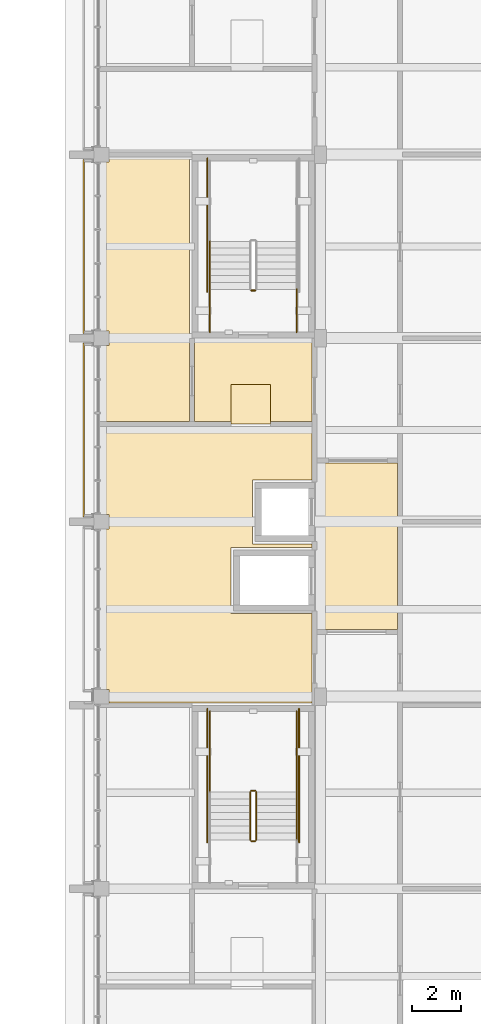
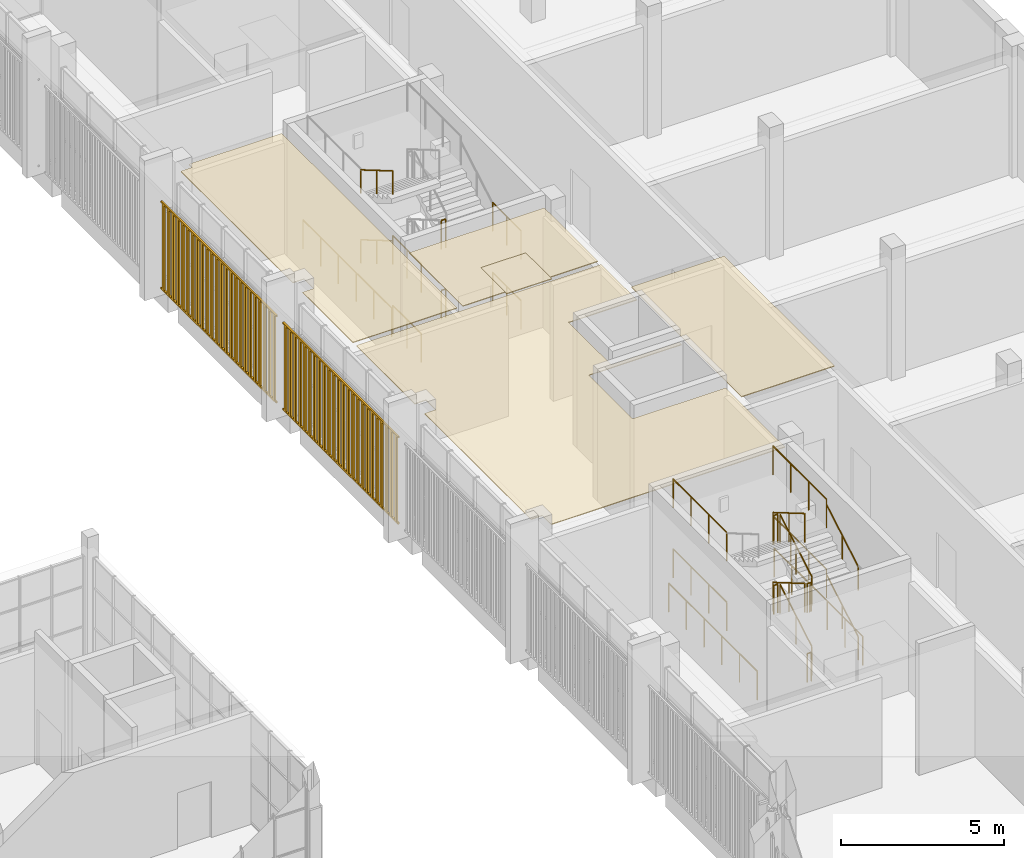
# One storey, part 114 of 125: 25 railings, 5 coverings, 2 shading devices.
"""IFC4 building model written with IfcOpenShell, lengths in metres."""

from ifc_helpers import new_model, si_unit, direction, frame, origin, origin_2d, place, context, subcontext, project, spatial, polyline, rectangle, circle, outline, extrude, material, layer, layer_set, type_object, element, save


model = new_model("IFC4")

# Units and contexts
model_context = context("Model", 3, precision=1e-05, world=origin(), true_north=direction((0.0, 1.0)))
body_context = subcontext(model_context, "Body", "Model", "MODEL_VIEW")
ifc_project = project(units=[si_unit("LENGTHUNIT", "METRE"), si_unit("AREAUNIT", "SQUARE_METRE"), si_unit("VOLUMEUNIT", "CUBIC_METRE"), si_unit("PLANEANGLEUNIT", "RADIAN"), si_unit("MASSUNIT", "GRAM", prefix="KILO")], contexts=[model_context])

# Site, building, storey
site_placement = place(None, origin())
site = spatial("IfcSite", under=ifc_project, at=site_placement, CompositionType="ELEMENT")
building_placement = place(site_placement, origin())
building = spatial("IfcBuilding", under=site, at=building_placement, Name="Sun Court Science Centre", CompositionType="ELEMENT")
storey_placement = place(building_placement, frame((0.0, 0.0, 6.0)))
storey = spatial("IfcBuildingStorey", under=building, at=storey_placement, Name="L01", CompositionType="ELEMENT", Elevation=6.0)

# Coverings
ifc_material_1 = material(Name="Gypsum board")
ifc_layer_1 = layer(ifc_material_1, 0.030029296875)
ifc_layer_set_1 = layer_set([ifc_layer_1], Name="Gypsum board")
covering_type = type_object("IfcCoveringType", Name="Ceiling suspended 600 module", PredefinedType="CEILING", material=ifc_layer_set_1)
covering_1_placement = place(storey_placement, frame((0.0, 0.0, 4.52001953125)))
element("IfcCovering", 1, at=covering_1_placement, inside=storey, type_object=covering_type, Name="L01-039 ceiling", PredefinedType="CEILING", context=body_context, shape_type="SweptSolid", body=[
    extrude(outline(polyline([(87.10009765625, 46.60009765625), (87.10009765625, 50.08740234375), (87.1025390625, 50.08740234375), (87.1025390625, 52.71240234375), (87.10009765625, 52.71240234375), (87.10009765625, 53.39990234375), (90.39990234375, 53.39990234375), (90.39990234375, 46.60009765625), (87.10009765625, 46.60009765625)])), origin(), (0.0, 0.0, 1.0), 0.030029296875),
])
covering_2_placement = place(storey_placement, frame((0.0, 0.0, 4.52001953125)))
element("IfcCovering", 2, at=covering_2_placement, inside=storey, type_object=covering_type, Name="L01-041 ceiling", PredefinedType="CEILING", context=body_context, shape_type="SweptSolid", body=[
    extrude(outline(polyline([(85.199951171875, 56.60009765625), (83.60009765625, 56.60009765625), (83.60009765625, 55.10009765625), (82.10009765625, 55.10009765625), (82.10009765625, 58.39990234375), (86.89990234375, 58.39990234375), (86.89990234375, 55.10009765625), (85.199951171875, 55.10009765625), (85.199951171875, 56.60009765625)])), origin(), (0.0, 0.0, 1.0), 0.030029296875),
])
covering_3_placement = place(storey_placement, frame((0.0, 0.0, 4.52001953125)))
element("IfcCovering", 3, at=covering_3_placement, inside=storey, type_object=covering_type, Name="L01-046 ceiling", PredefinedType="CEILING", context=body_context, shape_type="SweptSolid", body=[
    extrude(outline(polyline([(78.199951171875, 54.89990234375), (86.89990234375, 54.89990234375), (86.89990234375, 52.71240234375), (84.4775390625, 52.71240234375), (84.4775390625, 50.08740234375), (86.89990234375, 50.08740234375), (86.89990234375, 49.949951171875), (83.60009765625, 49.949951171875), (83.60009765625, 47.25), (86.89990234375, 47.25), (86.89990234375, 43.60009765625), (78.60009765625, 43.60009765625), (78.60009765625, 44.14990234375), (78.199951171875, 44.14990234375), (78.199951171875, 50.699951171875), (78.60009765625, 50.699951171875), (78.60009765625, 51.300048828125), (78.199951171875, 51.300048828125), (78.199951171875, 54.89990234375)])), origin(), (0.0, 0.0, 1.0), 0.030029296875),
])
covering_4_placement = place(storey_placement, frame((0.0, 0.0, 4.52001953125)))
element("IfcCovering", 4, at=covering_4_placement, inside=storey, type_object=covering_type, Name="L01-047 ceiling", PredefinedType="CEILING", context=body_context, shape_type="SweptSolid", body=[
    extrude(outline(polyline([(78.60009765625, 65.89990234375), (81.89990234375, 65.89990234375), (81.89990234375, 55.10009765625), (78.199951171875, 55.10009765625), (78.199951171875, 58.199951171875), (78.60009765625, 58.199951171875), (78.60009765625, 58.800048828125), (78.199951171875, 58.800048828125), (78.199951171875, 65.699951171875), (78.60009765625, 65.699951171875), (78.60009765625, 65.89990234375)])), origin(), (0.0, 0.0, 1.0), 0.030029296875),
])
covering_5_placement = place(storey_placement, frame((0.0, 0.0, 4.52001953125)))
element("IfcCovering", 5, at=covering_5_placement, inside=storey, type_object=covering_type, Name="L01-060 ceiling", PredefinedType="CEILING", context=body_context, shape_type="SweptSolid", body=[
    extrude(outline(polyline([(85.199951171875, 56.60009765625), (85.199951171875, 55.0), (83.60009765625, 55.0), (83.60009765625, 56.60009765625), (85.199951171875, 56.60009765625)])), origin(), (0.0, 0.0, 1.0), 0.030029296875),
])

# Railings
ifc_material_2 = material(Name="Steel S275", Category="steel")
railing_type_1 = type_object("IfcRailingType", Name="Guard 1100 steel balustrade", PredefinedType="GUARDRAIL", material=ifc_material_2)
railing_1_placement = place(storey_placement, frame((84.625, 37.998046875, 0.1640625)))
element("IfcRailing", 6, at=railing_1_placement, inside=storey, type_object=railing_type_1, Name="L01 SL2 stair guard 1", PredefinedType="GUARDRAIL", context=body_context, shape_type="SweptSolid", body=[
    extrude(circle(Radius=0.02392578125, at=origin_2d()), frame((0.0, 0.0, 1.076171875), z_axis=(0.0, 0.862794965445, 0.505554000679), x_axis=(-1.0, 0.0, 0.0)), (0.0, 0.0, 1.0), 2.271728515625),
    extrude(circle(Radius=0.02099609375, at=origin_2d()), origin(), (0.0, 0.0, 1.0), 1.052001953125),
    extrude(circle(Radius=0.02099609375, at=origin_2d()), frame((0.0, 0.97998046875, 0.57421875)), (0.0, 0.0, 1.0), 1.052001953125),
    extrude(circle(Radius=0.02099609375, at=origin_2d()), frame((0.0, 1.9599609375, 1.1484375)), (0.0, 0.0, 1.0), 1.052001953125),
])
railing_2_placement = place(storey_placement, frame((84.574951171875, 40.008056640625, 1.3125)))
element("IfcRailing", 7, at=railing_2_placement, inside=storey, type_object=railing_type_1, Name="L01 SL2 stair guard 2", PredefinedType="GUARDRAIL", context=body_context, shape_type="SweptSolid", body=[
    extrude(circle(Radius=0.02392578125, at=origin_2d()), frame((0.0, 0.0, 1.076171875), z_axis=(-1.0, 0.0, 0.0), x_axis=(0.0, -1.0, 0.0)), (0.0, 0.0, 1.0), 0.14990234375),
    extrude(circle(Radius=0.02099609375, at=origin_2d()), origin(), (0.0, 0.0, 1.0), 1.052001953125),
    extrude(circle(Radius=0.02099609375, at=origin_2d()), frame((-0.14990234375, 0.0, 0.0)), (0.0, 0.0, 1.0), 1.052001953125),
])
for number, where, name in (
    (8, (86.27294921875, 39.9580078125, 1.3125), "L01 SL2 stair guard 3"),
    (9, (82.72705078125, 39.9580078125, 1.3125), "L01 SL2 stair guard 4"),
):
    element("IfcRailing", number, at=place(storey_placement, frame(where)), inside=storey, type_object=railing_type_1, Name=name, PredefinedType="GUARDRAIL", context=body_context, shape_type="SweptSolid", body=[
        extrude(circle(Radius=0.02392578125, at=origin_2d()), frame((0.0, 0.0, 1.076171875), z_axis=(0.0, 1.0, 0.0), x_axis=(-1.0, 0.0, 0.0)), (0.0, 0.0, 1.0), 3.2919921875),
        extrude(circle(Radius=0.02099609375, at=origin_2d()), origin(), (0.0, 0.0, 1.0), 1.052001953125),
        extrude(circle(Radius=0.02099609375, at=origin_2d()), frame((0.0, 1.097412109375, 0.0)), (0.0, 0.0, 1.0), 1.052001953125),
        extrude(circle(Radius=0.02099609375, at=origin_2d()), frame((0.0, 2.194580078125, 0.0)), (0.0, 0.0, 1.0), 1.052001953125),
        extrude(circle(Radius=0.02099609375, at=origin_2d()), frame((0.0, 3.2919921875, 0.0)), (0.0, 0.0, 1.0), 1.052001953125),
    ])
railing_3_placement = place(storey_placement, frame((84.375, 39.9580078125, 1.4765625)))
element("IfcRailing", 10, at=railing_3_placement, inside=storey, type_object=railing_type_1, Name="L01 SL2 stair guard 5", PredefinedType="GUARDRAIL", context=body_context, shape_type="SweptSolid", body=[
    extrude(circle(Radius=0.02392578125, at=origin_2d()), frame((0.0, 0.0, 1.076171875), z_axis=(0.0, -0.862794965445, 0.505554000679), x_axis=(1.0, 0.0, 0.0)), (0.0, 0.0, 1.0), 2.271728515625),
    extrude(circle(Radius=0.02099609375, at=origin_2d()), origin(), (0.0, 0.0, 1.0), 1.052001953125),
    extrude(circle(Radius=0.02099609375, at=origin_2d()), frame((0.0, -0.97998046875, 0.57421875)), (0.0, 0.0, 1.0), 1.052001953125),
    extrude(circle(Radius=0.02099609375, at=origin_2d()), frame((0.0, -1.9599609375, 1.1484375)), (0.0, 0.0, 1.0), 1.052001953125),
])
railing_4_placement = place(storey_placement, frame((84.574951171875, 37.947998046875, 2.625)))
element("IfcRailing", 11, at=railing_4_placement, inside=storey, type_object=railing_type_1, Name="L01 SL2 stair guard 6", PredefinedType="GUARDRAIL", context=body_context, shape_type="SweptSolid", body=[
    extrude(circle(Radius=0.02392578125, at=origin_2d()), frame((0.0, 0.0, 1.076171875), z_axis=(-1.0, 0.0, 0.0), x_axis=(0.0, -1.0, 0.0)), (0.0, 0.0, 1.0), 0.14990234375),
    extrude(circle(Radius=0.02099609375, at=origin_2d()), origin(), (0.0, 0.0, 1.0), 1.052001953125),
    extrude(circle(Radius=0.02099609375, at=origin_2d()), frame((-0.14990234375, 0.0, 0.0)), (0.0, 0.0, 1.0), 1.052001953125),
])
railing_5_placement = place(storey_placement, frame((84.625, 37.998046875, 2.7890625)))
element("IfcRailing", 12, at=railing_5_placement, inside=storey, type_object=railing_type_1, Name="L01 SL2 stair guard 9", PredefinedType="GUARDRAIL", context=body_context, shape_type="SweptSolid", body=[
    extrude(circle(Radius=0.02392578125, at=origin_2d()), frame((0.0, 0.0, 1.076171875), z_axis=(0.0, 0.862794965445, 0.505554000679), x_axis=(-1.0, 0.0, 0.0)), (0.0, 0.0, 1.0), 2.271728515625),
    extrude(circle(Radius=0.02099609375, at=origin_2d()), origin(), (0.0, 0.0, 1.0), 1.052001953125),
    extrude(circle(Radius=0.02099609375, at=origin_2d()), frame((0.0, 0.97998046875, 0.57421875)), (0.0, 0.0, 1.0), 1.052001953125),
    extrude(circle(Radius=0.02099609375, at=origin_2d()), frame((0.0, 1.9599609375, 1.1484375)), (0.0, 0.0, 1.0), 1.052001953125),
])
railing_6_placement = place(storey_placement, frame((84.574951171875, 40.008056640625, 3.9375)))
element("IfcRailing", 13, at=railing_6_placement, inside=storey, type_object=railing_type_1, Name="L01 SL2 stair guard 10", PredefinedType="GUARDRAIL", context=body_context, shape_type="SweptSolid", body=[
    extrude(circle(Radius=0.02392578125, at=origin_2d()), frame((0.0, 0.0, 1.076171875), z_axis=(-1.0, 0.0, 0.0), x_axis=(0.0, -1.0, 0.0)), (0.0, 0.0, 1.0), 0.14990234375),
    extrude(circle(Radius=0.02099609375, at=origin_2d()), origin(), (0.0, 0.0, 1.0), 1.052001953125),
    extrude(circle(Radius=0.02099609375, at=origin_2d()), frame((-0.14990234375, 0.0, 0.0)), (0.0, 0.0, 1.0), 1.052001953125),
])
for number, where, name in (
    (14, (86.27294921875, 39.9580078125, 3.9375), "L01 SL2 stair guard 11"),
    (15, (82.72705078125, 39.9580078125, 3.9375), "L01 SL2 stair guard 12"),
):
    element("IfcRailing", number, at=place(storey_placement, frame(where)), inside=storey, type_object=railing_type_1, Name=name, PredefinedType="GUARDRAIL", context=body_context, shape_type="SweptSolid", body=[
        extrude(circle(Radius=0.02392578125, at=origin_2d()), frame((0.0, 0.0, 1.076171875), z_axis=(0.0, 1.0, 0.0), x_axis=(-1.0, 0.0, 0.0)), (0.0, 0.0, 1.0), 3.2919921875),
        extrude(circle(Radius=0.02099609375, at=origin_2d()), origin(), (0.0, 0.0, 1.0), 1.052001953125),
        extrude(circle(Radius=0.02099609375, at=origin_2d()), frame((0.0, 1.097412109375, 0.0)), (0.0, 0.0, 1.0), 1.052001953125),
        extrude(circle(Radius=0.02099609375, at=origin_2d()), frame((0.0, 2.194580078125, 0.0)), (0.0, 0.0, 1.0), 1.052001953125),
        extrude(circle(Radius=0.02099609375, at=origin_2d()), frame((0.0, 3.2919921875, 0.0)), (0.0, 0.0, 1.0), 1.052001953125),
    ])
railing_7_placement = place(storey_placement, frame((84.375, 39.9580078125, 4.1015625)))
element("IfcRailing", 16, at=railing_7_placement, inside=storey, type_object=railing_type_1, Name="L01 SL2 stair guard 13", PredefinedType="GUARDRAIL", context=body_context, shape_type="SweptSolid", body=[
    extrude(circle(Radius=0.02392578125, at=origin_2d()), frame((0.0, 0.0, 1.076171875), z_axis=(0.0, -0.862794965445, 0.505554000679), x_axis=(1.0, 0.0, 0.0)), (0.0, 0.0, 1.0), 2.271728515625),
    extrude(circle(Radius=0.02099609375, at=origin_2d()), origin(), (0.0, 0.0, 1.0), 1.052001953125),
    extrude(circle(Radius=0.02099609375, at=origin_2d()), frame((0.0, -0.97998046875, 0.57421875)), (0.0, 0.0, 1.0), 1.052001953125),
    extrude(circle(Radius=0.02099609375, at=origin_2d()), frame((0.0, -1.9599609375, 1.1484375)), (0.0, 0.0, 1.0), 1.052001953125),
])
railing_8_placement = place(storey_placement, frame((84.574951171875, 37.947998046875, 0.0)))
element("IfcRailing", 17, at=railing_8_placement, inside=storey, type_object=railing_type_1, Name="L01 SL2 stair guard 14", PredefinedType="GUARDRAIL", context=body_context, shape_type="SweptSolid", body=[
    extrude(circle(Radius=0.02392578125, at=origin_2d()), frame((0.0, 0.0, 1.076171875), z_axis=(-1.0, 0.0, 0.0), x_axis=(0.0, -1.0, 0.0)), (0.0, 0.0, 1.0), 0.14990234375),
    extrude(circle(Radius=0.02099609375, at=origin_2d()), origin(), (0.0, 0.0, 1.0), 1.052001953125),
    extrude(circle(Radius=0.02099609375, at=origin_2d()), frame((-0.14990234375, 0.0, 0.0)), (0.0, 0.0, 1.0), 1.052001953125),
])
for number, where, name in (
    (18, (86.373046875, 37.89794921875, 0.0), "L01 SL2 stair guard 17"),
    (19, (82.626953125, 37.89794921875, 0.0), "L01 SL2 stair guard 18"),
):
    element("IfcRailing", number, at=place(storey_placement, frame(where)), inside=storey, type_object=railing_type_1, Name=name, PredefinedType="GUARDRAIL", context=body_context, shape_type="SweptSolid", body=[
        extrude(circle(Radius=0.02392578125, at=origin_2d()), frame((0.0, 0.0, 1.076171875), z_axis=(0.0, 1.0, 0.0), x_axis=(-1.0, 0.0, 0.0)), (0.0, 0.0, 1.0), 5.4521484375),
        extrude(circle(Radius=0.02099609375, at=origin_2d()), origin(), (0.0, 0.0, 1.0), 1.052001953125),
        extrude(circle(Radius=0.02099609375, at=origin_2d()), frame((0.0, 1.09033203125, 0.0)), (0.0, 0.0, 1.0), 1.052001953125),
        extrude(circle(Radius=0.02099609375, at=origin_2d()), frame((0.0, 2.180908203125, 0.0)), (0.0, 0.0, 1.0), 1.052001953125),
        extrude(circle(Radius=0.02099609375, at=origin_2d()), frame((0.0, 3.271240234375, 0.0)), (0.0, 0.0, 1.0), 1.052001953125),
        extrude(circle(Radius=0.02099609375, at=origin_2d()), frame((0.0, 4.36181640625, 0.0)), (0.0, 0.0, 1.0), 1.052001953125),
        extrude(circle(Radius=0.02099609375, at=origin_2d()), frame((0.0, 5.4521484375, 0.0)), (0.0, 0.0, 1.0), 1.052001953125),
    ])
railing_9_placement = place(storey_placement, frame((84.574951171875, 60.447998046875, 2.625)))
element("IfcRailing", 20, at=railing_9_placement, inside=storey, type_object=railing_type_1, Name="L01 SL3 stair guard 6", PredefinedType="GUARDRAIL", context=body_context, shape_type="SweptSolid", body=[
    extrude(circle(Radius=0.02392578125, at=origin_2d()), frame((0.0, 0.0, 1.076171875), z_axis=(-1.0, 0.0, 0.0), x_axis=(0.0, -1.0, 0.0)), (0.0, 0.0, 1.0), 0.14990234375),
    extrude(circle(Radius=0.02099609375, at=origin_2d()), origin(), (0.0, 0.0, 1.0), 1.052001953125),
    extrude(circle(Radius=0.02099609375, at=origin_2d()), frame((-0.14990234375, 0.0, 0.0)), (0.0, 0.0, 1.0), 1.052001953125),
])
for number, where, name in (
    (21, (86.27294921875, 58.75, 2.625), "L01 SL3 stair guard 7"),
    (22, (82.72705078125, 58.75, 2.625), "L01 SL3 stair guard 8"),
):
    element("IfcRailing", number, at=place(storey_placement, frame(where)), inside=storey, type_object=railing_type_1, Name=name, PredefinedType="GUARDRAIL", context=body_context, shape_type="SweptSolid", body=[
        extrude(circle(Radius=0.02392578125, at=origin_2d()), frame((0.0, 0.0, 1.076171875), z_axis=(0.0, 1.0, 0.0), x_axis=(-1.0, 0.0, 0.0)), (0.0, 0.0, 1.0), 1.748046875),
        extrude(circle(Radius=0.02099609375, at=origin_2d()), origin(), (0.0, 0.0, 1.0), 1.052001953125),
        extrude(circle(Radius=0.02099609375, at=origin_2d()), frame((0.0, 0.8740234375, 0.0)), (0.0, 0.0, 1.0), 1.052001953125),
        extrude(circle(Radius=0.02099609375, at=origin_2d()), frame((0.0, 1.748046875, 0.0)), (0.0, 0.0, 1.0), 1.052001953125),
    ])
railing_10_placement = place(storey_placement, frame((84.574951171875, 60.447998046875, 0.0)))
element("IfcRailing", 23, at=railing_10_placement, inside=storey, type_object=railing_type_1, Name="L01 SL3 stair guard 14", PredefinedType="GUARDRAIL", context=body_context, shape_type="SweptSolid", body=[
    extrude(circle(Radius=0.02392578125, at=origin_2d()), frame((0.0, 0.0, 1.076171875), z_axis=(-1.0, 0.0, 0.0), x_axis=(0.0, -1.0, 0.0)), (0.0, 0.0, 1.0), 0.14990234375),
    extrude(circle(Radius=0.02099609375, at=origin_2d()), origin(), (0.0, 0.0, 1.0), 1.052001953125),
    extrude(circle(Radius=0.02099609375, at=origin_2d()), frame((-0.14990234375, 0.0, 0.0)), (0.0, 0.0, 1.0), 1.052001953125),
])
for number, where, name in (
    (24, (86.27294921875, 58.75, 0.0), "L01 SL3 stair guard 15"),
    (25, (82.72705078125, 58.75, 0.0), "L01 SL3 stair guard 16"),
):
    element("IfcRailing", number, at=place(storey_placement, frame(where)), inside=storey, type_object=railing_type_1, Name=name, PredefinedType="GUARDRAIL", context=body_context, shape_type="SweptSolid", body=[
        extrude(circle(Radius=0.02392578125, at=origin_2d()), frame((0.0, 0.0, 1.076171875), z_axis=(0.0, 1.0, 0.0), x_axis=(-1.0, 0.0, 0.0)), (0.0, 0.0, 1.0), 1.748046875),
        extrude(circle(Radius=0.02099609375, at=origin_2d()), origin(), (0.0, 0.0, 1.0), 1.052001953125),
        extrude(circle(Radius=0.02099609375, at=origin_2d()), frame((0.0, 0.8740234375, 0.0)), (0.0, 0.0, 1.0), 1.052001953125),
        extrude(circle(Radius=0.02099609375, at=origin_2d()), frame((0.0, 1.748046875, 0.0)), (0.0, 0.0, 1.0), 1.052001953125),
    ])
railing_11_placement = place(storey_placement, frame((82.626953125, 60.39794921875, 0.0)))
element("IfcRailing", 26, at=railing_11_placement, inside=storey, type_object=railing_type_1, Name="L01 SL3 stair guard 18", PredefinedType="GUARDRAIL", context=body_context, shape_type="SweptSolid", body=[
    extrude(circle(Radius=0.02392578125, at=origin_2d()), frame((0.0, 0.0, 1.076171875), z_axis=(0.0, 1.0, 0.0), x_axis=(-1.0, 0.0, 0.0)), (0.0, 0.0, 1.0), 5.4521484375),
    extrude(circle(Radius=0.02099609375, at=origin_2d()), origin(), (0.0, 0.0, 1.0), 1.052001953125),
    extrude(circle(Radius=0.02099609375, at=origin_2d()), frame((0.0, 1.09033203125, 0.0)), (0.0, 0.0, 1.0), 1.052001953125),
    extrude(circle(Radius=0.02099609375, at=origin_2d()), frame((0.0, 2.180908203125, 0.0)), (0.0, 0.0, 1.0), 1.052001953125),
    extrude(circle(Radius=0.02099609375, at=origin_2d()), frame((0.0, 3.271240234375, 0.0)), (0.0, 0.0, 1.0), 1.052001953125),
    extrude(circle(Radius=0.02099609375, at=origin_2d()), frame((0.0, 4.36181640625, 0.0)), (0.0, 0.0, 1.0), 1.052001953125),
    extrude(circle(Radius=0.02099609375, at=origin_2d()), frame((0.0, 5.4521484375, 0.0)), (0.0, 0.0, 1.0), 1.052001953125),
])
ifc_material_3 = material(Name="Stainless steel", Category="steel")
railing_type_2 = type_object("IfcRailingType", Name="Handrail 900 stainless", PredefinedType="HANDRAIL", material=ifc_material_3)
for number, where, name in (
    (27, (86.27294921875, 37.998046875, 0.1640625), "L01 SL2 stair handrail 1"),
    (28, (86.27294921875, 37.998046875, 2.7890625), "L01 SL2 stair handrail 3"),
):
    element("IfcRailing", number, at=place(storey_placement, frame(where)), inside=storey, type_object=railing_type_2, Name=name, PredefinedType="HANDRAIL", context=body_context, shape_type="SweptSolid", body=[
        extrude(circle(Radius=0.02392578125, at=origin_2d()), frame((0.0, 0.0, 0.8759765625), z_axis=(0.0, 0.862794965445, 0.505554000679), x_axis=(-1.0, 0.0, 0.0)), (0.0, 0.0, 1.0), 2.271728515625),
        extrude(circle(Radius=0.02099609375, at=origin_2d()), origin(), (0.0, 0.0, 1.0), 0.851806640625),
        extrude(circle(Radius=0.02099609375, at=origin_2d()), frame((0.0, 0.97998046875, 0.57421875)), (0.0, 0.0, 1.0), 0.851806640625),
        extrude(circle(Radius=0.02099609375, at=origin_2d()), frame((0.0, 1.9599609375, 1.1484375)), (0.0, 0.0, 1.0), 0.851806640625),
    ])
for number, where, name in (
    (29, (82.72705078125, 62.4580078125, 1.4765625), "L01 SL3 stair handrail 2"),
    (30, (82.72705078125, 62.4580078125, 4.1015625), "L01 SL3 stair handrail 4"),
):
    element("IfcRailing", number, at=place(storey_placement, frame(where)), inside=storey, type_object=railing_type_2, Name=name, PredefinedType="HANDRAIL", context=body_context, shape_type="SweptSolid", body=[
        extrude(circle(Radius=0.02392578125, at=origin_2d()), frame((0.0, 0.0, 0.8759765625), z_axis=(0.0, -0.862794965445, 0.505554000679), x_axis=(1.0, 0.0, 0.0)), (0.0, 0.0, 1.0), 2.271728515625),
        extrude(circle(Radius=0.02099609375, at=origin_2d()), origin(), (0.0, 0.0, 1.0), 0.851806640625),
        extrude(circle(Radius=0.02099609375, at=origin_2d()), frame((0.0, -0.97998046875, 0.57421875)), (0.0, 0.0, 1.0), 0.851806640625),
        extrude(circle(Radius=0.02099609375, at=origin_2d()), frame((0.0, -1.9599609375, 1.1484375)), (0.0, 0.0, 1.0), 0.851806640625),
    ])

# Shading devices
ifc_material_4 = material(Name="Red sandstone", Category="masonry")
ifc_layer_2 = layer(ifc_material_4, 0.06005859375)
ifc_layer_set_2 = layer_set([ifc_layer_2], Name="Red sandstone")
shading_device_type = type_object("IfcShadingDeviceType", Name="Jali screen, sandstone", PredefinedType="USERDEFINED", material=ifc_layer_set_2)
shading_device_1_placement = place(storey_placement, frame((0.0, 0.0, -6.0)))
element("IfcShadingDevice", 31, at=shading_device_1_placement, inside=storey, type_object=shading_device_type, Name="Jali screen west face L01 06", ObjectType="JALI SCREEN", PredefinedType="USERDEFINED", context=body_context, shape_type="SweptSolid", body=[
    extrude(rectangle(XDim=0.1201171875, YDim=0.06005859375, at=origin_2d()), frame((77.570068359375, 51.347900390625, 6.33984375), z_axis=(0.0, 0.0, 1.0), x_axis=(0.0, 1.0, 0.0)), (0.0, 0.0, 1.0), 3.219970703125),
    extrude(rectangle(XDim=0.1201171875, YDim=0.06005859375, at=origin_2d()), frame((77.570068359375, 51.643798828125, 6.33984375), z_axis=(0.0, 0.0, 1.0), x_axis=(0.0, 1.0, 0.0)), (0.0, 0.0, 1.0), 3.219970703125),
    extrude(rectangle(XDim=0.1201171875, YDim=0.06005859375, at=origin_2d()), frame((77.570068359375, 51.939697265625, 6.33984375), z_axis=(0.0, 0.0, 1.0), x_axis=(0.0, 1.0, 0.0)), (0.0, 0.0, 1.0), 3.219970703125),
    extrude(rectangle(XDim=0.1201171875, YDim=0.06005859375, at=origin_2d()), frame((77.570068359375, 52.2353515625, 6.33984375), z_axis=(0.0, 0.0, 1.0), x_axis=(0.0, 1.0, 0.0)), (0.0, 0.0, 1.0), 3.219970703125),
    extrude(rectangle(XDim=0.1201171875, YDim=0.06005859375, at=origin_2d()), frame((77.570068359375, 52.53125, 6.33984375), z_axis=(0.0, 0.0, 1.0), x_axis=(0.0, 1.0, 0.0)), (0.0, 0.0, 1.0), 3.219970703125),
    extrude(rectangle(XDim=0.1201171875, YDim=0.06005859375, at=origin_2d()), frame((77.570068359375, 52.8271484375, 6.33984375), z_axis=(0.0, 0.0, 1.0), x_axis=(0.0, 1.0, 0.0)), (0.0, 0.0, 1.0), 3.219970703125),
    extrude(rectangle(XDim=0.1201171875, YDim=0.06005859375, at=origin_2d()), frame((77.570068359375, 53.122802734375, 6.33984375), z_axis=(0.0, 0.0, 1.0), x_axis=(0.0, 1.0, 0.0)), (0.0, 0.0, 1.0), 3.219970703125),
    extrude(rectangle(XDim=0.1201171875, YDim=0.06005859375, at=origin_2d()), frame((77.570068359375, 53.418701171875, 6.33984375), z_axis=(0.0, 0.0, 1.0), x_axis=(0.0, 1.0, 0.0)), (0.0, 0.0, 1.0), 3.219970703125),
    extrude(rectangle(XDim=0.1201171875, YDim=0.06005859375, at=origin_2d()), frame((77.570068359375, 53.714599609375, 6.33984375), z_axis=(0.0, 0.0, 1.0), x_axis=(0.0, 1.0, 0.0)), (0.0, 0.0, 1.0), 3.219970703125),
    extrude(rectangle(XDim=0.1201171875, YDim=0.06005859375, at=origin_2d()), frame((77.570068359375, 54.010498046875, 6.33984375), z_axis=(0.0, 0.0, 1.0), x_axis=(0.0, 1.0, 0.0)), (0.0, 0.0, 1.0), 3.219970703125),
    extrude(rectangle(XDim=0.1201171875, YDim=0.06005859375, at=origin_2d()), frame((77.570068359375, 54.30615234375, 6.33984375), z_axis=(0.0, 0.0, 1.0), x_axis=(0.0, 1.0, 0.0)), (0.0, 0.0, 1.0), 3.219970703125),
    extrude(rectangle(XDim=0.1201171875, YDim=0.06005859375, at=origin_2d()), frame((77.570068359375, 54.60205078125, 6.33984375), z_axis=(0.0, 0.0, 1.0), x_axis=(0.0, 1.0, 0.0)), (0.0, 0.0, 1.0), 3.219970703125),
    extrude(rectangle(XDim=0.1201171875, YDim=0.06005859375, at=origin_2d()), frame((77.570068359375, 54.89794921875, 6.33984375), z_axis=(0.0, 0.0, 1.0), x_axis=(0.0, 1.0, 0.0)), (0.0, 0.0, 1.0), 3.219970703125),
    extrude(rectangle(XDim=0.1201171875, YDim=0.06005859375, at=origin_2d()), frame((77.570068359375, 55.19384765625, 6.33984375), z_axis=(0.0, 0.0, 1.0), x_axis=(0.0, 1.0, 0.0)), (0.0, 0.0, 1.0), 3.219970703125),
    extrude(rectangle(XDim=0.1201171875, YDim=0.06005859375, at=origin_2d()), frame((77.570068359375, 55.489501953125, 6.33984375), z_axis=(0.0, 0.0, 1.0), x_axis=(0.0, 1.0, 0.0)), (0.0, 0.0, 1.0), 3.219970703125),
    extrude(rectangle(XDim=0.1201171875, YDim=0.06005859375, at=origin_2d()), frame((77.570068359375, 55.785400390625, 6.33984375), z_axis=(0.0, 0.0, 1.0), x_axis=(0.0, 1.0, 0.0)), (0.0, 0.0, 1.0), 3.219970703125),
    extrude(rectangle(XDim=0.1201171875, YDim=0.06005859375, at=origin_2d()), frame((77.570068359375, 56.081298828125, 6.33984375), z_axis=(0.0, 0.0, 1.0), x_axis=(0.0, 1.0, 0.0)), (0.0, 0.0, 1.0), 3.219970703125),
    extrude(rectangle(XDim=0.1201171875, YDim=0.06005859375, at=origin_2d()), frame((77.570068359375, 56.377197265625, 6.33984375), z_axis=(0.0, 0.0, 1.0), x_axis=(0.0, 1.0, 0.0)), (0.0, 0.0, 1.0), 3.219970703125),
    extrude(rectangle(XDim=0.1201171875, YDim=0.06005859375, at=origin_2d()), frame((77.570068359375, 56.6728515625, 6.33984375), z_axis=(0.0, 0.0, 1.0), x_axis=(0.0, 1.0, 0.0)), (0.0, 0.0, 1.0), 3.219970703125),
    extrude(rectangle(XDim=0.1201171875, YDim=0.06005859375, at=origin_2d()), frame((77.570068359375, 56.96875, 6.33984375), z_axis=(0.0, 0.0, 1.0), x_axis=(0.0, 1.0, 0.0)), (0.0, 0.0, 1.0), 3.219970703125),
    extrude(rectangle(XDim=0.1201171875, YDim=0.06005859375, at=origin_2d()), frame((77.570068359375, 57.2646484375, 6.33984375), z_axis=(0.0, 0.0, 1.0), x_axis=(0.0, 1.0, 0.0)), (0.0, 0.0, 1.0), 3.219970703125),
    extrude(rectangle(XDim=0.1201171875, YDim=0.06005859375, at=origin_2d()), frame((77.570068359375, 57.560302734375, 6.33984375), z_axis=(0.0, 0.0, 1.0), x_axis=(0.0, 1.0, 0.0)), (0.0, 0.0, 1.0), 3.219970703125),
    extrude(rectangle(XDim=0.1201171875, YDim=0.06005859375, at=origin_2d()), frame((77.570068359375, 57.856201171875, 6.33984375), z_axis=(0.0, 0.0, 1.0), x_axis=(0.0, 1.0, 0.0)), (0.0, 0.0, 1.0), 3.219970703125),
    extrude(rectangle(XDim=0.1201171875, YDim=0.06005859375, at=origin_2d()), frame((77.570068359375, 58.152099609375, 6.33984375), z_axis=(0.0, 0.0, 1.0), x_axis=(0.0, 1.0, 0.0)), (0.0, 0.0, 1.0), 3.219970703125),
    extrude(rectangle(XDim=7.10009765625, YDim=0.06005859375, at=origin_2d()), frame((77.570068359375, 54.75, 6.300048828125), z_axis=(0.0, 0.0, 1.0), x_axis=(0.0, 1.0, 0.0)), (0.0, 0.0, 1.0), 0.06005859375),
    extrude(rectangle(XDim=7.10009765625, YDim=0.06005859375, at=origin_2d()), frame((77.570068359375, 54.75, 9.5400390625), z_axis=(0.0, 0.0, 1.0), x_axis=(0.0, 1.0, 0.0)), (0.0, 0.0, 1.0), 0.06005859375),
])
shading_device_2_placement = place(storey_placement, frame((0.0, 0.0, -6.0)))
element("IfcShadingDevice", 32, at=shading_device_2_placement, inside=storey, type_object=shading_device_type, Name="Jali screen west face L01 07", ObjectType="JALI SCREEN", PredefinedType="USERDEFINED", context=body_context, shape_type="SweptSolid", body=[
    extrude(rectangle(XDim=0.1201171875, YDim=0.06005859375, at=origin_2d()), frame((77.570068359375, 58.847900390625, 6.33984375), z_axis=(0.0, 0.0, 1.0), x_axis=(0.0, 1.0, 0.0)), (0.0, 0.0, 1.0), 3.219970703125),
    extrude(rectangle(XDim=0.1201171875, YDim=0.06005859375, at=origin_2d()), frame((77.570068359375, 59.143798828125, 6.33984375), z_axis=(0.0, 0.0, 1.0), x_axis=(0.0, 1.0, 0.0)), (0.0, 0.0, 1.0), 3.219970703125),
    extrude(rectangle(XDim=0.1201171875, YDim=0.06005859375, at=origin_2d()), frame((77.570068359375, 59.439697265625, 6.33984375), z_axis=(0.0, 0.0, 1.0), x_axis=(0.0, 1.0, 0.0)), (0.0, 0.0, 1.0), 3.219970703125),
    extrude(rectangle(XDim=0.1201171875, YDim=0.06005859375, at=origin_2d()), frame((77.570068359375, 59.7353515625, 6.33984375), z_axis=(0.0, 0.0, 1.0), x_axis=(0.0, 1.0, 0.0)), (0.0, 0.0, 1.0), 3.219970703125),
    extrude(rectangle(XDim=0.1201171875, YDim=0.06005859375, at=origin_2d()), frame((77.570068359375, 60.03125, 6.33984375), z_axis=(0.0, 0.0, 1.0), x_axis=(0.0, 1.0, 0.0)), (0.0, 0.0, 1.0), 3.219970703125),
    extrude(rectangle(XDim=0.1201171875, YDim=0.06005859375, at=origin_2d()), frame((77.570068359375, 60.3271484375, 6.33984375), z_axis=(0.0, 0.0, 1.0), x_axis=(0.0, 1.0, 0.0)), (0.0, 0.0, 1.0), 3.219970703125),
    extrude(rectangle(XDim=0.1201171875, YDim=0.06005859375, at=origin_2d()), frame((77.570068359375, 60.622802734375, 6.33984375), z_axis=(0.0, 0.0, 1.0), x_axis=(0.0, 1.0, 0.0)), (0.0, 0.0, 1.0), 3.219970703125),
    extrude(rectangle(XDim=0.1201171875, YDim=0.06005859375, at=origin_2d()), frame((77.570068359375, 60.918701171875, 6.33984375), z_axis=(0.0, 0.0, 1.0), x_axis=(0.0, 1.0, 0.0)), (0.0, 0.0, 1.0), 3.219970703125),
    extrude(rectangle(XDim=0.1201171875, YDim=0.06005859375, at=origin_2d()), frame((77.570068359375, 61.214599609375, 6.33984375), z_axis=(0.0, 0.0, 1.0), x_axis=(0.0, 1.0, 0.0)), (0.0, 0.0, 1.0), 3.219970703125),
    extrude(rectangle(XDim=0.1201171875, YDim=0.06005859375, at=origin_2d()), frame((77.570068359375, 61.510498046875, 6.33984375), z_axis=(0.0, 0.0, 1.0), x_axis=(0.0, 1.0, 0.0)), (0.0, 0.0, 1.0), 3.219970703125),
    extrude(rectangle(XDim=0.1201171875, YDim=0.06005859375, at=origin_2d()), frame((77.570068359375, 61.80615234375, 6.33984375), z_axis=(0.0, 0.0, 1.0), x_axis=(0.0, 1.0, 0.0)), (0.0, 0.0, 1.0), 3.219970703125),
    extrude(rectangle(XDim=0.1201171875, YDim=0.06005859375, at=origin_2d()), frame((77.570068359375, 62.10205078125, 6.33984375), z_axis=(0.0, 0.0, 1.0), x_axis=(0.0, 1.0, 0.0)), (0.0, 0.0, 1.0), 3.219970703125),
    extrude(rectangle(XDim=0.1201171875, YDim=0.06005859375, at=origin_2d()), frame((77.570068359375, 62.39794921875, 6.33984375), z_axis=(0.0, 0.0, 1.0), x_axis=(0.0, 1.0, 0.0)), (0.0, 0.0, 1.0), 3.219970703125),
    extrude(rectangle(XDim=0.1201171875, YDim=0.06005859375, at=origin_2d()), frame((77.570068359375, 62.69384765625, 6.33984375), z_axis=(0.0, 0.0, 1.0), x_axis=(0.0, 1.0, 0.0)), (0.0, 0.0, 1.0), 3.219970703125),
    extrude(rectangle(XDim=0.1201171875, YDim=0.06005859375, at=origin_2d()), frame((77.570068359375, 62.989501953125, 6.33984375), z_axis=(0.0, 0.0, 1.0), x_axis=(0.0, 1.0, 0.0)), (0.0, 0.0, 1.0), 3.219970703125),
    extrude(rectangle(XDim=0.1201171875, YDim=0.06005859375, at=origin_2d()), frame((77.570068359375, 63.285400390625, 6.33984375), z_axis=(0.0, 0.0, 1.0), x_axis=(0.0, 1.0, 0.0)), (0.0, 0.0, 1.0), 3.219970703125),
    extrude(rectangle(XDim=0.1201171875, YDim=0.06005859375, at=origin_2d()), frame((77.570068359375, 63.581298828125, 6.33984375), z_axis=(0.0, 0.0, 1.0), x_axis=(0.0, 1.0, 0.0)), (0.0, 0.0, 1.0), 3.219970703125),
    extrude(rectangle(XDim=0.1201171875, YDim=0.06005859375, at=origin_2d()), frame((77.570068359375, 63.877197265625, 6.33984375), z_axis=(0.0, 0.0, 1.0), x_axis=(0.0, 1.0, 0.0)), (0.0, 0.0, 1.0), 3.219970703125),
    extrude(rectangle(XDim=0.1201171875, YDim=0.06005859375, at=origin_2d()), frame((77.570068359375, 64.1728515625, 6.33984375), z_axis=(0.0, 0.0, 1.0), x_axis=(0.0, 1.0, 0.0)), (0.0, 0.0, 1.0), 3.219970703125),
    extrude(rectangle(XDim=0.1201171875, YDim=0.06005859375, at=origin_2d()), frame((77.570068359375, 64.46875, 6.33984375), z_axis=(0.0, 0.0, 1.0), x_axis=(0.0, 1.0, 0.0)), (0.0, 0.0, 1.0), 3.219970703125),
    extrude(rectangle(XDim=0.1201171875, YDim=0.06005859375, at=origin_2d()), frame((77.570068359375, 64.7646484375, 6.33984375), z_axis=(0.0, 0.0, 1.0), x_axis=(0.0, 1.0, 0.0)), (0.0, 0.0, 1.0), 3.219970703125),
    extrude(rectangle(XDim=0.1201171875, YDim=0.06005859375, at=origin_2d()), frame((77.570068359375, 65.060302734375, 6.33984375), z_axis=(0.0, 0.0, 1.0), x_axis=(0.0, 1.0, 0.0)), (0.0, 0.0, 1.0), 3.219970703125),
    extrude(rectangle(XDim=0.1201171875, YDim=0.06005859375, at=origin_2d()), frame((77.570068359375, 65.356201171875, 6.33984375), z_axis=(0.0, 0.0, 1.0), x_axis=(0.0, 1.0, 0.0)), (0.0, 0.0, 1.0), 3.219970703125),
    extrude(rectangle(XDim=0.1201171875, YDim=0.06005859375, at=origin_2d()), frame((77.570068359375, 65.652099609375, 6.33984375), z_axis=(0.0, 0.0, 1.0), x_axis=(0.0, 1.0, 0.0)), (0.0, 0.0, 1.0), 3.219970703125),
    extrude(rectangle(XDim=7.10009765625, YDim=0.06005859375, at=origin_2d()), frame((77.570068359375, 62.25, 6.300048828125), z_axis=(0.0, 0.0, 1.0), x_axis=(0.0, 1.0, 0.0)), (0.0, 0.0, 1.0), 0.06005859375),
    extrude(rectangle(XDim=7.10009765625, YDim=0.06005859375, at=origin_2d()), frame((77.570068359375, 62.25, 9.5400390625), z_axis=(0.0, 0.0, 1.0), x_axis=(0.0, 1.0, 0.0)), (0.0, 0.0, 1.0), 0.06005859375),
])

save(model, "model.ifc")
